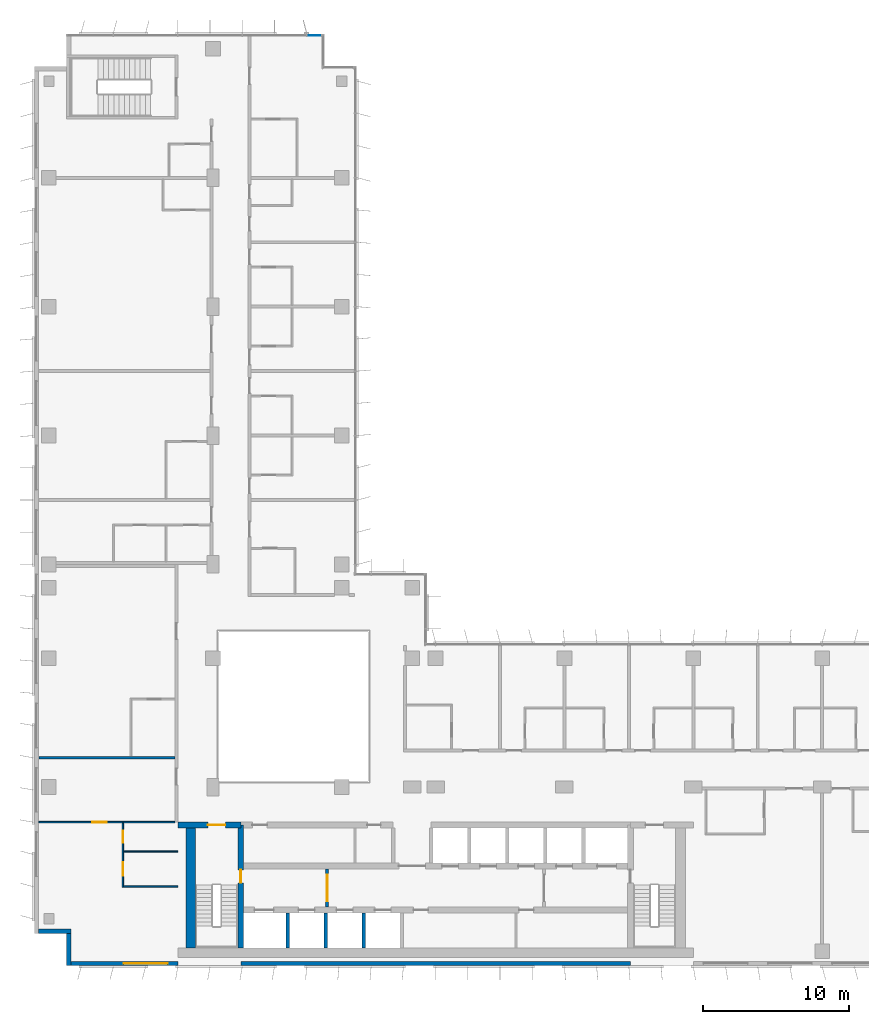
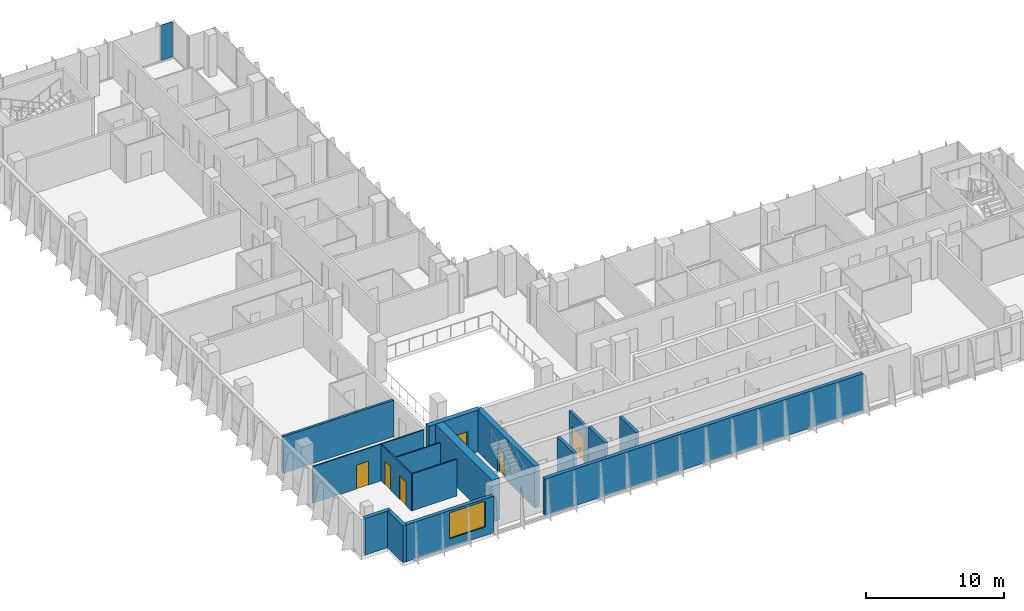
# One storey, part 12 of 21: 16 walls, 6 doors, 1 plate, 1 window, 7 openings, 1 element without a shape of its own.
"""IFC4 building model written with IfcOpenShell, lengths in metres."""

from ifc_helpers import new_model, si_unit, direction, frame, frame_2d, origin, origin_2d, place, context, subcontext, project, spatial, rectangle, extrude, source, transform, mapped, material, layer, layer_set, type_object, element, fill, aggregate, save


model = new_model("IFC4")

# Units and contexts
model_context = context("Model", 3, precision=1e-05, world=origin(), true_north=direction((0.0, 1.0)))
body_context = subcontext(model_context, "Body", "Model", "MODEL_VIEW")
ifc_project = project(units=[si_unit("LENGTHUNIT", "METRE"), si_unit("AREAUNIT", "SQUARE_METRE"), si_unit("VOLUMEUNIT", "CUBIC_METRE"), si_unit("PLANEANGLEUNIT", "RADIAN"), si_unit("MASSUNIT", "GRAM", prefix="KILO")], contexts=[model_context])

# Site, building, storey
site_placement = place(None, origin())
site = spatial("IfcSite", under=ifc_project, at=site_placement, CompositionType="ELEMENT")
building_placement = place(site_placement, origin())
building = spatial("IfcBuilding", under=site, at=building_placement, Name="Kemantara Hotel Tower", CompositionType="ELEMENT")
storey_placement = place(building_placement, frame((0.0, 0.0, 219.10009765625)))
storey = spatial("IfcBuildingStorey", under=building, at=storey_placement, Name="L54", CompositionType="ELEMENT", Elevation=219.10009765625)

# Curtain wall, plate
ifc_material_1 = material(Name="Low-E tinted double insulated glass 36 mm", Category="glass")
curtain_wall_type = type_object("IfcCurtainWallType", Name="TOWER CURTAIN WALL, FRONT FACES", PredefinedType="USERDEFINED", material=ifc_material_1)
curtain_wall_placement = place(storey_placement, origin())
curtain_wall = element("IfcCurtainWall", 1, at=curtain_wall_placement, inside=storey, type_object=curtain_wall_type, Name="CW4 L54 T3-R02-1", ObjectType="TOWER CURTAIN WALL, FRONT FACES", PredefinedType="USERDEFINED")
ifc_layer_1 = layer(ifc_material_1, 0.035888671875)
ifc_layer_set_1 = layer_set([ifc_layer_1], Name="Low-E tinted double insulated glass 36 mm")
plate_type = type_object("IfcPlateType", Name="TOWER CURTAIN WALL, FRONT FACES PANEL", PredefinedType="CURTAIN_PANEL", material=ifc_layer_set_1)
shared_shape = source(origin(), body_context, "Body", "SweptSolid", [
    extrude(rectangle(XDim=0.9599609375, YDim=0.035888671875, at=origin_2d()), origin(), (0.0, 0.0, 1.0), 3.1298828125),
])
plate_placement = place(storey_placement, frame((19.110107421875, 63.52490234375, 0.119873046875), z_axis=(0.0, 0.0, 1.0), x_axis=(-1.0, 0.0, 0.0)))
plate = element("IfcPlate", 2, at=plate_placement, type_object=plate_type, Name="CW4 glass panel T3-R02-1.1", PredefinedType="CURTAIN_PANEL", context=body_context, shape_type="MappedRepresentation", body=[
    mapped(shared_shape, transform((0.0, 0.0, 0.0))),
])
aggregate(curtain_wall, [plate])

# Walls
ifc_material_2 = material(Name="Bronze anodised aluminium cladding on insulated steel stud wall", Category="steel")
ifc_layer_2 = layer(ifc_material_2, 0.300048828125)
ifc_layer_set_2 = layer_set([ifc_layer_2], Name="Bronze anodised aluminium cladding on insulated steel stud wall")
wall_type_1 = type_object("IfcWallType", Name="BRONZE METAL-CLAD EXTERNAL WALL 300", PredefinedType="STANDARD", material=ifc_layer_set_2)
for number, where, z_axis, x_axis, name in (
    (3, (0.300048828125, 2.35009765625, 0.0), (0.0, 0.0, 1.0), (1.0, 0.0, 0.0), "EXTERNAL WALL L54 T3-R06"),
    (4, (2.35009765625, 2.199951171875, 0.0), (0.0, 0.0, 1.0), (0.0, -1.0, 0.0), "EXTERNAL WALL L54 T3-R07"),
):
    element("IfcWall", number, at=place(storey_placement, frame(where, z_axis=z_axis, x_axis=x_axis)), inside=storey, type_object=wall_type_1, Name=name, PredefinedType="STANDARD", context=body_context, shape_type="SweptSolid", body=[
        extrude(rectangle(XDim=2.199951171875, YDim=0.300048828125, at=frame_2d((1.10009765625, 0.0))), origin(), (0.0, 0.0, 1.0), 3.25),
    ])

# Wall, opening, window
wall_1_placement = place(storey_placement, frame((2.5, 0.14990234375, 0.0), z_axis=(0.0, 0.0, 1.0), x_axis=(1.0, 0.0, 0.0)))
wall_1 = element("IfcWall", 5, at=wall_1_placement, inside=storey, type_object=wall_type_1, Name="EXTERNAL WALL L54 T3-R08", PredefinedType="STANDARD", context=body_context, shape_type="SweptSolid", body=[
    extrude(rectangle(XDim=7.300048828125, YDim=0.300048828125, at=frame_2d((3.64990234375, 0.0))), origin(), (0.0, 0.0, 1.0), 3.25),
])
opening_1_placement = place(wall_1_placement, frame((3.60009765625, 0.0, 0.75)))
opening_1 = element("IfcOpeningElement", 6, at=opening_1_placement, cuts=wall_1, Name="Opening W1", PredefinedType="OPENING", context=body_context, shape_type="SweptSolid", body=[
    extrude(rectangle(XDim=3.0, YDim=2.300048828125, at=frame_2d((1.5, 1.14990234375))), frame((0.0, 0.159912109375, 0.0), z_axis=(0.0, -1.0, 0.0), x_axis=(1.0, 0.0, 0.0)), (0.0, 0.0, 1.0), 0.320068359375),
])
ifc_material_3 = material(Name="Low-E tinted double insulated glass in bronze anodised aluminium frame", Category="aluminium")
window_type = type_object("IfcWindowType", Name="CHICAGO WINDOW, TRIPLE PANEL 3000x2300", PartitioningType="TRIPLE_PANEL_VERTICAL", PredefinedType="WINDOW", material=ifc_material_3)
window_placement = place(opening_1_placement, origin())
window = element("IfcWindow", 7, at=window_placement, inside=storey, type_object=window_type, Name="CHICAGO WINDOW L54 T3-R08-54", OverallHeight=2.300048828125, OverallWidth=3.0, PartitioningType="SINGLE_PANEL", PredefinedType="WINDOW", context=body_context, shape_type="SweptSolid", body=[
    extrude(rectangle(XDim=3.0, YDim=2.300048828125, at=frame_2d((1.5, 1.14990234375))), frame((0.0, 0.030029296875, 0.0), z_axis=(0.0, -1.0, 0.0), x_axis=(1.0, 0.0, 0.0)), (0.0, 0.0, 1.0), 0.06005859375),
])
fill(opening_1, window)

# Walls
wall_2_placement = place(storey_placement, frame((14.10009765625, 0.14990234375, 0.0), z_axis=(0.0, 0.0, 1.0), x_axis=(1.0, 0.0, 0.0)))
element("IfcWall", 8, at=wall_2_placement, inside=storey, type_object=wall_type_1, Name="EXTERNAL WALL L54 T3-R08-2", PredefinedType="STANDARD", context=body_context, shape_type="SweptSolid", body=[
    extrude(rectangle(XDim=26.599853515625, YDim=0.300048828125, at=frame_2d((13.2998046875, 0.0))), origin(), (0.0, 0.0, 1.0), 3.25),
])
ifc_material_4 = material(Name="Concrete fc 60 MPa", Category="concrete")
ifc_layer_3 = layer(ifc_material_4, 0.25)
ifc_layer_set_3 = layer_set([ifc_layer_3], Name="Concrete fc 60 MPa")
wall_type_2 = type_object("IfcWallType", Name="CORE WALL 250 FC60", PredefinedType="SHEAR", material=ifc_layer_set_3)
for number, where, z_axis, x_axis, name in (
    (9, (17.300048828125, 1.199951171875, 0.0), (0.0, 0.0, 1.0), (0.0, 1.0, 0.0), "CORE WALL CW-DS17.3"),
    (10, (19.89990234375, 1.199951171875, 0.0), (0.0, 0.0, 1.0), (0.0, 1.0, 0.0), "CORE WALL CW-DS19.9"),
    (11, (22.5, 1.199951171875, 0.0), (0.0, 0.0, 1.0), (0.0, 1.0, 0.0), "CORE WALL CW-DS22.5"),
):
    element("IfcWall", number, at=place(storey_placement, frame(where, z_axis=z_axis, x_axis=x_axis)), inside=storey, type_object=wall_type_2, Name=name, PredefinedType="SHEAR", context=body_context, shape_type="SweptSolid", body=[
        extrude(rectangle(XDim=2.400146484375, YDim=0.25, at=frame_2d((1.2001953125, 0.0))), origin(), (0.0, 0.0, 1.0), 3.699951171875),
    ])

# Wall, opening, door
ifc_layer_4 = layer(ifc_material_4, 0.39990234375)
ifc_layer_set_4 = layer_set([ifc_layer_4], Name="Concrete fc 60 MPa")
wall_type_3 = type_object("IfcWallType", Name="CORE WALL 400 FC60", PredefinedType="SHEAR", material=ifc_layer_set_4)
wall_3_placement = place(storey_placement, frame((9.800048828125, 9.60009765625, 0.0), z_axis=(0.0, 0.0, 1.0), x_axis=(1.0, 0.0, 0.0)))
wall_3 = element("IfcWall", 12, at=wall_3_placement, inside=storey, type_object=wall_type_3, Name="CORE WALL CW-N1", PredefinedType="SHEAR", context=body_context, shape_type="SweptSolid", body=[
    extrude(rectangle(XDim=4.300048828125, YDim=0.39990234375, at=frame_2d((2.14990234375, 0.0))), origin(), (0.0, 0.0, 1.0), 3.699951171875),
])
opening_2_placement = place(wall_3_placement, frame((2.050048828125, 0.0, 0.0)))
opening_2 = element("IfcOpeningElement", 13, at=opening_2_placement, cuts=wall_3, Name="Opening C33-ST1-C", PredefinedType="OPENING", context=body_context, shape_type="SweptSolid", body=[
    extrude(rectangle(XDim=1.199951171875, YDim=2.10009765625, at=frame_2d((0.60009765625, 1.050048828125))), frame((0.0, 0.2099609375, 0.0), z_axis=(0.0, -1.0, 0.0), x_axis=(1.0, 0.0, 0.0)), (0.0, 0.0, 1.0), 0.419921875),
])
ifc_material_5 = material(Name="Steel fire door", Category="steel")
door_type_1 = type_object("IfcDoorType", Name="Fire door FD90 1200 x 2100", OperationType="NOTDEFINED", PredefinedType="DOOR", material=ifc_material_5)
door_1_placement = place(opening_2_placement, frame((1.199951171875, 0.0, 0.0), z_axis=(0.0, 0.0, 1.0), x_axis=(-1.0, 0.0, 0.0)))
door_1 = element("IfcDoor", 14, at=door_1_placement, inside=storey, type_object=door_type_1, Name="Stair ST1 door to corridor", OperationType="SINGLE_SWING_LEFT", OverallHeight=2.10009765625, OverallWidth=1.199951171875, PredefinedType="DOOR", context=body_context, shape_type="SweptSolid", body=[
    extrude(rectangle(XDim=1.199951171875, YDim=2.10009765625, at=frame_2d((0.60009765625, 1.050048828125))), frame((0.0, 0.02490234375, 0.0), z_axis=(0.0, -1.0, 0.0), x_axis=(1.0, 0.0, 0.0)), (0.0, 0.0, 1.0), 0.050048828125),
])
fill(opening_2, door_1)

wall_4_placement = place(storey_placement, frame((14.10009765625, 1.199951171875, 0.0), z_axis=(0.0, 0.0, 1.0), x_axis=(0.0, 1.0, 0.0)))
wall_4 = element("IfcWall", 15, at=wall_4_placement, inside=storey, type_object=wall_type_3, Name="CORE WALL CW-ST1E", PredefinedType="SHEAR", context=body_context, shape_type="SweptSolid", body=[
    extrude(rectangle(XDim=8.400146484375, YDim=0.39990234375, at=frame_2d((4.2001953125, 0.0))), origin(), (0.0, 0.0, 1.0), 3.699951171875),
])
opening_3_placement = place(wall_4_placement, frame((4.449951171875, 0.0, 0.0)))
opening_3 = element("IfcOpeningElement", 16, at=opening_3_placement, cuts=wall_4, Name="Opening C33-ST1-F", PredefinedType="OPENING", context=body_context, shape_type="SweptSolid", body=[
    extrude(rectangle(XDim=0.89990234375, YDim=2.10009765625, at=frame_2d((0.449951171875, 1.050048828125))), frame((0.0, 0.2099609375, 0.0), z_axis=(0.0, -1.0, 0.0), x_axis=(1.0, 0.0, 0.0)), (0.0, 0.0, 1.0), 0.419921875),
])
door_type_2 = type_object("IfcDoorType", Name="Fire door FD90 900 x 2100", OperationType="NOTDEFINED", PredefinedType="DOOR", material=ifc_material_5)
door_2_placement = place(opening_3_placement, origin())
door_2 = element("IfcDoor", 17, at=door_2_placement, inside=storey, type_object=door_type_2, Name="Stair ST1 door to firefighting lobby", OperationType="SINGLE_SWING_RIGHT", OverallHeight=2.10009765625, OverallWidth=0.89990234375, PredefinedType="DOOR", context=body_context, shape_type="SweptSolid", body=[
    extrude(rectangle(XDim=0.89990234375, YDim=2.10009765625, at=frame_2d((0.449951171875, 1.050048828125))), frame((0.0, 0.02490234375, 0.0), z_axis=(0.0, -1.0, 0.0), x_axis=(1.0, 0.0, 0.0)), (0.0, 0.0, 1.0), 0.050048828125),
])
fill(opening_3, door_2)

# Walls
ifc_layer_5 = layer(ifc_material_4, 0.64990234375)
ifc_layer_set_5 = layer_set([ifc_layer_5], Name="Concrete fc 60 MPa")
wall_type_4 = type_object("IfcWallType", Name="CORE WALL 650 FC60", PredefinedType="SHEAR", material=ifc_layer_set_5)
wall_5_placement = place(storey_placement, frame((10.675048828125, 1.199951171875, 0.0), z_axis=(0.0, 0.0, 1.0), x_axis=(0.0, 1.0, 0.0)))
element("IfcWall", 18, at=wall_5_placement, inside=storey, type_object=wall_type_4, Name="CORE WALL CW-W", PredefinedType="SHEAR", context=body_context, shape_type="SweptSolid", body=[
    extrude(rectangle(XDim=8.60009765625, YDim=0.64990234375, at=frame_2d((4.300048828125, 0.0))), origin(), (0.0, 0.0, 1.0), 3.699951171875),
])
ifc_material_6 = material(Name="Gypsum board partition, steel studs and mineral wool, 200 mm", Category="steel")
ifc_layer_6 = layer(ifc_material_6, 0.199951171875)
ifc_layer_set_6 = layer_set([ifc_layer_6], Name="Gypsum board partition, steel studs and mineral wool, 200 mm")
wall_type_5 = type_object("IfcWallType", Name="GUEST ROOM PARTY WALL 200", PredefinedType="PARTITIONING", material=ifc_layer_set_6)
wall_6_placement = place(storey_placement, frame((0.31005859375, 14.199951171875, 0.0), z_axis=(0.0, 0.0, 1.0), x_axis=(1.0, 0.0, 0.0)))
element("IfcWall", 19, at=wall_6_placement, inside=storey, type_object=wall_type_5, Name="GUEST ROOM PARTY WALL 200 015", PredefinedType="PARTITIONING", context=body_context, shape_type="SweptSolid", body=[
    extrude(rectangle(XDim=9.2900390625, YDim=0.199951171875, at=frame_2d((4.64501953125, 0.0))), origin(), (0.0, 0.0, 1.0), 3.25),
])

# Wall, opening, door
ifc_material_7 = material(Name="Gypsum board shaft wall")
ifc_layer_7 = layer(ifc_material_7, 0.199951171875)
ifc_layer_set_7 = layer_set([ifc_layer_7], Name="Gypsum board shaft wall")
wall_type_6 = type_object("IfcWallType", Name="Gypsum board shaft wall 200 mm", PredefinedType="PARTITIONING", material=ifc_layer_set_7)
wall_7_placement = place(storey_placement, frame((20.0, 4.0, 0.0), z_axis=(0.0, 0.0, 1.0), x_axis=(0.0, 1.0, 0.0)))
wall_7 = element("IfcWall", 20, at=wall_7_placement, inside=storey, type_object=wall_type_6, Name="Firefighting lobby partition west", PredefinedType="PARTITIONING", context=body_context, shape_type="SweptSolid", body=[
    extrude(rectangle(XDim=2.60009765625, YDim=0.199951171875, at=frame_2d((1.300048828125, 0.0))), origin(), (0.0, 0.0, 1.0), 3.25),
])
opening_4_placement = place(wall_7_placement, frame((0.39990234375, 0.0, 0.0)))
opening_4 = element("IfcOpeningElement", 21, at=opening_4_placement, cuts=wall_7, Name="Opening C33-FFW", PredefinedType="OPENING", context=body_context, shape_type="SweptSolid", body=[
    extrude(rectangle(XDim=1.800048828125, YDim=2.10009765625, at=frame_2d((0.89990234375, 1.050048828125))), frame((0.0, 0.10986328125, 0.0), z_axis=(0.0, -1.0, 0.0), x_axis=(1.0, 0.0, 0.0)), (0.0, 0.0, 1.0), 0.219970703125),
])
door_type_3 = type_object("IfcDoorType", Name="Fire door pair FD60 1800 x 2100", OperationType="DOUBLE_DOOR_SINGLE_SWING", PredefinedType="DOOR", material=ifc_material_5)
door_3_placement = place(opening_4_placement, origin())
door_3 = element("IfcDoor", 22, at=door_3_placement, inside=storey, type_object=door_type_3, Name="Firefighting lobby door west", OperationType="DOUBLE_DOOR_SINGLE_SWING", OverallHeight=2.10009765625, OverallWidth=1.800048828125, PredefinedType="DOOR", context=body_context, shape_type="SweptSolid", body=[
    extrude(rectangle(XDim=1.800048828125, YDim=2.10009765625, at=frame_2d((0.89990234375, 1.050048828125))), frame((0.0, 0.02490234375, 0.0), z_axis=(0.0, -1.0, 0.0), x_axis=(1.0, 0.0, 0.0)), (0.0, 0.0, 1.0), 0.050048828125),
])
fill(opening_4, door_3)

# Wall, openings, doors
ifc_material_8 = material(Name="Gypsum board partition on steel studs, 100 mm", Category="steel")
ifc_layer_8 = layer(ifc_material_8, 0.10009765625)
ifc_layer_set_8 = layer_set([ifc_layer_8], Name="Gypsum board partition on steel studs, 100 mm")
wall_type_7 = type_object("IfcWallType", Name="ROOM PARTITION 100", PredefinedType="PARTITIONING", material=ifc_layer_set_8)
wall_8_placement = place(storey_placement, frame((6.050048828125, 9.75, 0.0), z_axis=(0.0, 0.0, 1.0), x_axis=(0.0, -1.0, 0.0)))
wall_8 = element("IfcWall", 23, at=wall_8_placement, inside=storey, type_object=wall_type_7, Name="ROOM PARTITION 100 054", PredefinedType="PARTITIONING", context=body_context, shape_type="SweptSolid", body=[
    extrude(rectangle(XDim=4.39990234375, YDim=0.10009765625, at=frame_2d((2.199951171875, 0.0))), origin(), (0.0, 0.0, 1.0), 3.25),
])
opening_5_placement = place(wall_8_placement, frame((2.699951171875, 0.0, 0.0)))
opening_5 = element("IfcOpeningElement", 24, at=opening_5_placement, cuts=wall_8, Name="Opening F26-021", PredefinedType="OPENING", context=body_context, shape_type="SweptSolid", body=[
    extrude(rectangle(XDim=0.89990234375, YDim=2.10009765625, at=frame_2d((0.449951171875, 1.050048828125))), frame((0.0, 0.06005859375, 0.0), z_axis=(0.0, -1.0, 0.0), x_axis=(1.0, 0.0, 0.0)), (0.0, 0.0, 1.0), 0.1201171875),
])
opening_6_placement = place(wall_8_placement, frame((0.550048828125, 0.0, 0.0)))
opening_6 = element("IfcOpeningElement", 25, at=opening_6_placement, cuts=wall_8, Name="Opening F26-022", PredefinedType="OPENING", context=body_context, shape_type="SweptSolid", body=[
    extrude(rectangle(XDim=0.800048828125, YDim=2.10009765625, at=frame_2d((0.39990234375, 1.050048828125))), frame((0.0, 0.06005859375, 0.0), z_axis=(0.0, -1.0, 0.0), x_axis=(1.0, 0.0, 0.0)), (0.0, 0.0, 1.0), 0.1201171875),
])
ifc_material_9 = material(Name="Hardwood veneer door leaf with steel frame", Category="steel")
door_type_4 = type_object("IfcDoorType", Name="BATHROOM DOOR 900 X 2100", OperationType="NOTDEFINED", PredefinedType="DOOR", material=ifc_material_9)
door_4_placement = place(opening_5_placement, origin())
door_4 = element("IfcDoor", 26, at=door_4_placement, inside=storey, type_object=door_type_4, Name="BATHROOM DOOR F26-021", OperationType="SINGLE_SWING_LEFT", OverallHeight=2.10009765625, OverallWidth=0.89990234375, PredefinedType="DOOR", context=body_context, shape_type="SweptSolid", body=[
    extrude(rectangle(XDim=0.89990234375, YDim=2.10009765625, at=frame_2d((0.449951171875, 1.050048828125))), frame((0.0, 0.02490234375, 0.0), z_axis=(0.0, -1.0, 0.0), x_axis=(1.0, 0.0, 0.0)), (0.0, 0.0, 1.0), 0.050048828125),
])
fill(opening_5, door_4)
door_type_5 = type_object("IfcDoorType", Name="WARDROBE DOOR 800 X 2100", OperationType="NOTDEFINED", PredefinedType="DOOR", material=ifc_material_9)
door_5_placement = place(opening_6_placement, origin())
door_5 = element("IfcDoor", 27, at=door_5_placement, inside=storey, type_object=door_type_5, Name="WARDROBE DOOR F26-022", OperationType="SINGLE_SWING_LEFT", OverallHeight=2.10009765625, OverallWidth=0.800048828125, PredefinedType="DOOR", context=body_context, shape_type="SweptSolid", body=[
    extrude(rectangle(XDim=0.800048828125, YDim=2.10009765625, at=frame_2d((0.39990234375, 1.050048828125))), frame((0.0, 0.02490234375, 0.0), z_axis=(0.0, -1.0, 0.0), x_axis=(1.0, 0.0, 0.0)), (0.0, 0.0, 1.0), 0.050048828125),
])
fill(opening_6, door_5)

# Wall, opening, door
wall_9_placement = place(storey_placement, frame((9.60009765625, 9.800048828125, 0.0), z_axis=(0.0, 0.0, 1.0), x_axis=(-1.0, 0.0, 0.0)))
wall_9 = element("IfcWall", 28, at=wall_9_placement, inside=storey, type_object=wall_type_7, Name="ROOM PARTITION 100 055", PredefinedType="PARTITIONING", context=body_context, shape_type="SweptSolid", body=[
    extrude(rectangle(XDim=9.2900390625, YDim=0.10009765625, at=frame_2d((4.64501953125, 0.0))), origin(), (0.0, 0.0, 1.0), 3.25),
])
opening_7_placement = place(wall_9_placement, frame((4.64990234375, 0.0, 0.0)))
opening_7 = element("IfcOpeningElement", 29, at=opening_7_placement, cuts=wall_9, Name="Opening F26-020", PredefinedType="OPENING", context=body_context, shape_type="SweptSolid", body=[
    extrude(rectangle(XDim=1.0, YDim=2.10009765625, at=frame_2d((0.5, 1.050048828125))), frame((0.0, 0.06005859375, 0.0), z_axis=(0.0, -1.0, 0.0), x_axis=(1.0, 0.0, 0.0)), (0.0, 0.0, 1.0), 0.1201171875),
])
door_type_6 = type_object("IfcDoorType", Name="INTERNAL DOOR 1000 X 2100", OperationType="NOTDEFINED", PredefinedType="DOOR", material=ifc_material_9)
door_6_placement = place(opening_7_placement, origin())
door_6 = element("IfcDoor", 30, at=door_6_placement, inside=storey, type_object=door_type_6, Name="INTERNAL DOOR F26-020", OperationType="SINGLE_SWING_LEFT", OverallHeight=2.10009765625, OverallWidth=1.0, PredefinedType="DOOR", context=body_context, shape_type="SweptSolid", body=[
    extrude(rectangle(XDim=1.0, YDim=2.10009765625, at=frame_2d((0.5, 1.050048828125))), frame((0.0, 0.02490234375, 0.0), z_axis=(0.0, -1.0, 0.0), x_axis=(1.0, 0.0, 0.0)), (0.0, 0.0, 1.0), 0.050048828125),
])
fill(opening_7, door_6)

# Walls
for number, where, z_axis, x_axis, name in (
    (31, (6.10009765625, 5.39990234375, 0.0), (0.0, 0.0, 1.0), (1.0, 0.0, 0.0), "ROOM PARTITION 100 056"),
    (32, (6.10009765625, 7.800048828125, 0.0), (0.0, 0.0, 1.0), (1.0, 0.0, 0.0), "ROOM PARTITION 100 057"),
):
    element("IfcWall", number, at=place(storey_placement, frame(where, z_axis=z_axis, x_axis=x_axis)), inside=storey, type_object=wall_type_7, Name=name, PredefinedType="PARTITIONING", context=body_context, shape_type="SweptSolid", body=[
        extrude(rectangle(XDim=3.69970703125, YDim=0.10009765625, at=frame_2d((1.849853515625, 0.0))), origin(), (0.0, 0.0, 1.0), 3.25),
    ])

save(model, "model.ifc")
